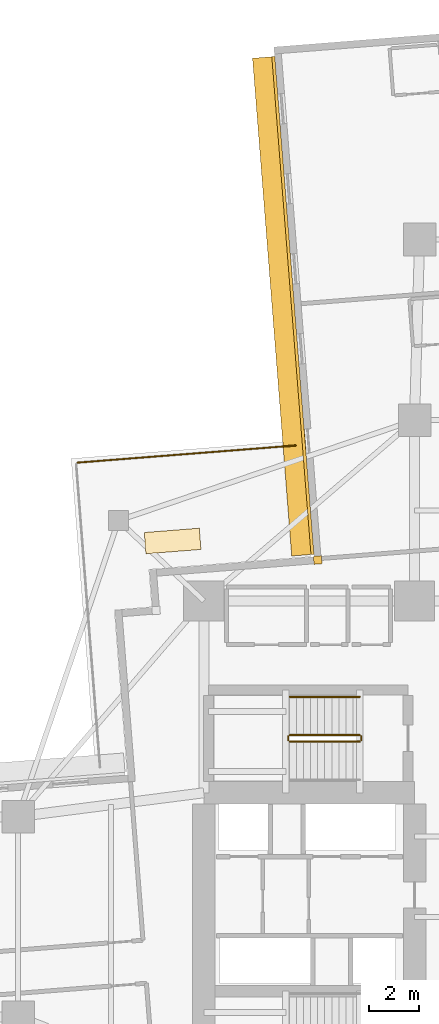
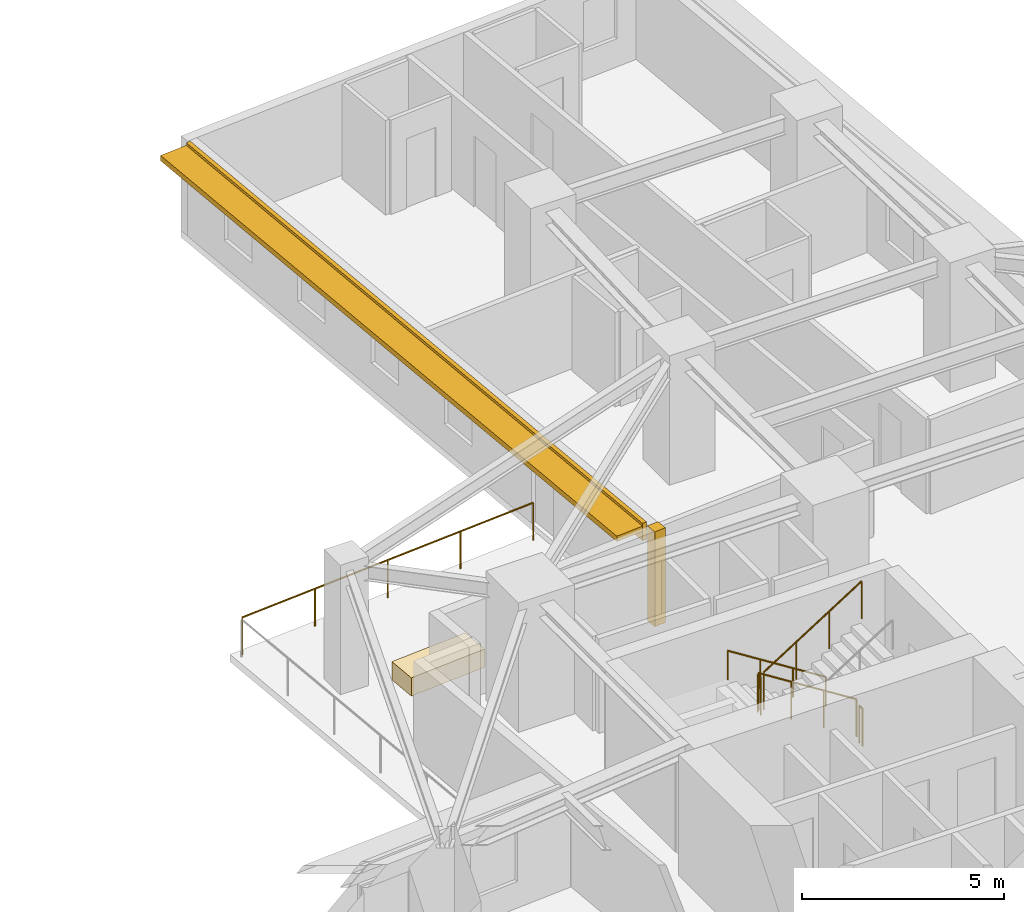
# One storey, part 12 of 13: 6 railings, 3 coverings, 1 shading device.
"""IFC4 building model written with IfcOpenShell, lengths in metres."""

from ifc_helpers import new_model, si_unit, direction, frame, origin, origin_2d, place, context, subcontext, project, spatial, rectangle, circle, extrude, material, layer, layer_set, type_object, element, save


model = new_model("IFC4")

# Units and contexts
model_context = context("Model", 3, precision=1e-05, world=origin(), true_north=direction((0.0, 1.0)))
body_context = subcontext(model_context, "Body", "Model", "MODEL_VIEW")
ifc_project = project(units=[si_unit("LENGTHUNIT", "METRE"), si_unit("AREAUNIT", "SQUARE_METRE"), si_unit("VOLUMEUNIT", "CUBIC_METRE"), si_unit("PLANEANGLEUNIT", "RADIAN"), si_unit("MASSUNIT", "GRAM", prefix="KILO")], contexts=[model_context])

# Site, building, storey
site_placement = place(None, origin())
site = spatial("IfcSite", under=ifc_project, at=site_placement, CompositionType="ELEMENT")
building_placement = place(site_placement, origin())
building = spatial("IfcBuilding", under=site, at=building_placement, Name="Qingluan Cross Belvedere", CompositionType="ELEMENT")
storey_placement = place(building_placement, frame((0.0, 0.0, 43.199951171875)))
storey = spatial("IfcBuildingStorey", under=building, at=storey_placement, Name="L11", CompositionType="ELEMENT", Elevation=43.199951171875)

# Coverings
ifc_material_1 = material(Name="Precast concrete C45", Category="concrete")
ifc_layer_1 = layer(ifc_material_1, 0.1201171875, Name="ConcreteSpandrelCladding_120")
ifc_layer_set_1 = layer_set([ifc_layer_1], Name="Precast concrete C45")
covering_type_1 = type_object("IfcCoveringType", Name="ConcreteSpandrelCladding_120", PredefinedType="CLADDING", material=ifc_layer_set_1)
covering_1_placement = place(storey_placement, frame((-8.849365234375, 24.370849609375, 2.400146484375), z_axis=(0.0, 0.0, 1.0), x_axis=(0.078457869429, -0.996917430244, 0.0)))
element("IfcCovering", 1, at=covering_1_placement, inside=storey, type_object=covering_type_1, Name="Spandrel cladding L11-NB", PredefinedType="CLADDING", context=body_context, shape_type="SweptSolid", body=[
    extrude(rectangle(XDim=19.89990234375, YDim=0.1201171875, at=origin_2d()), origin(), (0.0, 0.0, 1.0), 0.52001953125),
])
covering_2_placement = place(storey_placement, frame((-7.860595703125, 14.22705078125, 0.0), z_axis=(0.0, 0.0, 1.0), x_axis=(0.996917333733, 0.078459095728, 0.0)))
element("IfcCovering", 2, at=covering_2_placement, inside=storey, type_object=covering_type_1, Name="Corner closure L11-NW2", PredefinedType="CLADDING", context=body_context, shape_type="SweptSolid", body=[
    extrude(rectangle(XDim=0.320068359375, YDim=0.320068359375, at=origin_2d()), origin(), (0.0, 0.0, 1.0), 2.860107421875),
])

# Shading device
ifc_material_2 = material(Name="Precast concrete C45", Category="concrete")
ifc_layer_2 = layer(ifc_material_2, 0.159912109375, Name="ConcreteSunshadeBand_900")
ifc_layer_set_2 = layer_set([ifc_layer_2], Name="Precast concrete C45")
shading_device_type = type_object("IfcShadingDeviceType", Name="ConcreteSunshadeBand_900", PredefinedType="USERDEFINED", material=ifc_layer_set_2)
shading_device_placement = place(storey_placement, frame((-9.228271484375, 24.341064453125, 2.68017578125), z_axis=(0.0, 0.0, 1.0), x_axis=(0.078457869429, -0.996917430244, 0.0)))
element("IfcShadingDevice", 3, at=shading_device_placement, inside=storey, type_object=shading_device_type, Name="Concrete SUNSHADE L11-NB", ObjectType="SUNSHADE", PredefinedType="USERDEFINED", context=body_context, shape_type="SweptSolid", body=[
    extrude(rectangle(XDim=19.89990234375, YDim=0.89990234375, at=origin_2d()), origin(), (0.0, 0.0, 1.0), 0.159912109375),
])

# Railings
ifc_material_3 = material(Name="Brushed stainless steel tubular handrail", Category="steel")
railing_type_1 = type_object("IfcRailingType", Name="StairPitchHandrail_900", PredefinedType="HANDRAIL", material=ifc_material_3)
railing_1_placement = place(storey_placement, frame((-6.179931640625, 8.77001953125, 0.17724609375)))
element("IfcRailing", 4, at=railing_1_placement, inside=storey, type_object=railing_type_1, Name="L11 ST3 stair handrail 1", PredefinedType="HANDRAIL", context=body_context, shape_type="SweptSolid", body=[
    extrude(circle(Radius=0.02392578125, at=origin_2d()), frame((0.0, 0.0, 0.8759765625), z_axis=(-0.844908973607, 0.0, 0.534910110503), x_axis=(0.0, -1.0, 0.0)), (0.0, 0.0, 1.0), 3.31396484375),
    extrude(circle(Radius=0.02099609375, at=origin_2d()), origin(), (0.0, 0.0, 1.0), 0.851806640625),
    extrude(circle(Radius=0.02099609375, at=origin_2d()), frame((-0.933349609375, 0.0, 0.5908203125)), (0.0, 0.0, 1.0), 0.851806640625),
    extrude(circle(Radius=0.02099609375, at=origin_2d()), frame((-1.86669921875, 0.0, 1.181884765625)), (0.0, 0.0, 1.0), 0.851806640625),
    extrude(circle(Radius=0.02099609375, at=origin_2d()), frame((-2.800048828125, 0.0, 1.772705078125)), (0.0, 0.0, 1.0), 0.851806640625),
])
ifc_material_4 = material(Name="Painted steel stair well guard", Category="steel")
railing_type_2 = type_object("IfcRailingType", Name="StairWellGuard_1150", PredefinedType="BALUSTRADE", material=ifc_material_4)
railing_2_placement = place(storey_placement, frame((-6.179931640625, 7.25, 0.17724609375)))
element("IfcRailing", 5, at=railing_2_placement, inside=storey, type_object=railing_type_2, Name="L11 ST3 stair guard 1", PredefinedType="BALUSTRADE", context=body_context, shape_type="SweptSolid", body=[
    extrude(circle(Radius=0.02392578125, at=origin_2d()), frame((0.0, 0.0, 1.1259765625), z_axis=(-0.844908973607, 0.0, 0.534910110503), x_axis=(0.0, -1.0, 0.0)), (0.0, 0.0, 1.0), 3.31396484375),
    extrude(circle(Radius=0.02099609375, at=origin_2d()), origin(), (0.0, 0.0, 1.0), 1.101806640625),
    extrude(circle(Radius=0.02099609375, at=origin_2d()), frame((-0.933349609375, 0.0, 0.5908203125)), (0.0, 0.0, 1.0), 1.101806640625),
    extrude(circle(Radius=0.02099609375, at=origin_2d()), frame((-1.86669921875, 0.0, 1.181884765625)), (0.0, 0.0, 1.0), 1.101806640625),
    extrude(circle(Radius=0.02099609375, at=origin_2d()), frame((-2.800048828125, 0.0, 1.772705078125)), (0.0, 0.0, 1.0), 1.101806640625),
])
railing_3_placement = place(storey_placement, frame((-9.030029296875, 7.199951171875, 1.949951171875)))
element("IfcRailing", 6, at=railing_3_placement, inside=storey, type_object=railing_type_2, Name="L11 ST3 stair guard 2", PredefinedType="BALUSTRADE", context=body_context, shape_type="SweptSolid", body=[
    extrude(circle(Radius=0.02392578125, at=origin_2d()), frame((0.0, 0.0, 1.1259765625), z_axis=(0.0, -1.0, 0.0), x_axis=(1.0, 0.0, 0.0)), (0.0, 0.0, 1.0), 0.159912109375),
    extrude(circle(Radius=0.02099609375, at=origin_2d()), origin(), (0.0, 0.0, 1.0), 1.101806640625),
    extrude(circle(Radius=0.02099609375, at=origin_2d()), frame((0.0, -0.159912109375, 0.0)), (0.0, 0.0, 1.0), 1.101806640625),
])
railing_4_placement = place(storey_placement, frame((-8.97998046875, 6.989990234375, 2.12744140625)))
element("IfcRailing", 7, at=railing_4_placement, inside=storey, type_object=railing_type_2, Name="L11 ST3 stair guard 3", PredefinedType="BALUSTRADE", context=body_context, shape_type="SweptSolid", body=[
    extrude(circle(Radius=0.02392578125, at=origin_2d()), frame((0.0, 0.0, 1.1259765625), z_axis=(0.844908973607, 0.0, 0.534910110503), x_axis=(0.0, 1.0, 0.0)), (0.0, 0.0, 1.0), 3.31396484375),
    extrude(circle(Radius=0.02099609375, at=origin_2d()), origin(), (0.0, 0.0, 1.0), 1.101806640625),
    extrude(circle(Radius=0.02099609375, at=origin_2d()), frame((0.933349609375, 0.0, 0.5908203125)), (0.0, 0.0, 1.0), 1.101806640625),
    extrude(circle(Radius=0.02099609375, at=origin_2d()), frame((1.86669921875, 0.0, 1.181884765625)), (0.0, 0.0, 1.0), 1.101806640625),
    extrude(circle(Radius=0.02099609375, at=origin_2d()), frame((2.800048828125, 0.0, 1.772705078125)), (0.0, 0.0, 1.0), 1.101806640625),
])
railing_5_placement = place(storey_placement, frame((-6.1298828125, 7.199951171875, 0.0)))
element("IfcRailing", 8, at=railing_5_placement, inside=storey, type_object=railing_type_2, Name="L11 ST3 stair guard 4", PredefinedType="BALUSTRADE", context=body_context, shape_type="SweptSolid", body=[
    extrude(circle(Radius=0.02392578125, at=origin_2d()), frame((0.0, 0.0, 1.1259765625), z_axis=(0.0, -1.0, 0.0), x_axis=(1.0, 0.0, 0.0)), (0.0, 0.0, 1.0), 0.159912109375),
    extrude(circle(Radius=0.02099609375, at=origin_2d()), origin(), (0.0, 0.0, 1.0), 1.101806640625),
    extrude(circle(Radius=0.02099609375, at=origin_2d()), frame((0.0, -0.159912109375, 0.0)), (0.0, 0.0, 1.0), 1.101806640625),
])
ifc_material_5 = material(Name="Laminated glass and stainless steel balustrade", Category="steel")
railing_type_3 = type_object("IfcRailingType", Name="TerraceGuardBalustrade_1150", PredefinedType="BALUSTRADE", material=ifc_material_5)
railing_6_placement = place(storey_placement, frame((-17.4345703125, 18.10791015625, 0.0)))
element("IfcRailing", 9, at=railing_6_placement, inside=storey, type_object=railing_type_3, Name="Terrace guard L11-2", PredefinedType="BALUSTRADE", context=body_context, shape_type="SweptSolid", body=[
    extrude(circle(Radius=0.02392578125, at=origin_2d()), frame((0.0, 0.0, 1.1259765625), z_axis=(0.996918232331, 0.078447677123, 0.0), x_axis=(-0.078447677123, 0.996918232331, 0.0)), (0.0, 0.0, 1.0), 8.72021484375),
    extrude(circle(Radius=0.02099609375, at=origin_2d()), origin(), (0.0, 0.0, 1.0), 1.101806640625),
    extrude(circle(Radius=0.02099609375, at=origin_2d()), frame((2.17333984375, 0.1708984375, 0.0)), (0.0, 0.0, 1.0), 1.101806640625),
    extrude(circle(Radius=0.02099609375, at=origin_2d()), frame((4.3466796875, 0.342041015625, 0.0)), (0.0, 0.0, 1.0), 1.101806640625),
    extrude(circle(Radius=0.02099609375, at=origin_2d()), frame((6.52001953125, 0.51318359375, 0.0)), (0.0, 0.0, 1.0), 1.101806640625),
    extrude(circle(Radius=0.02099609375, at=origin_2d()), frame((8.693359375, 0.68408203125, 0.0)), (0.0, 0.0, 1.0), 1.101806640625),
])

# Covering
ifc_material_6 = material(Name="Precast concrete C40", Category="concrete")
ifc_layer_3 = layer(ifc_material_6, 0.550048828125, Name="TerracePlanterBox")
ifc_layer_set_3 = layer_set([ifc_layer_3], Name="Precast concrete C40")
covering_type_2 = type_object("IfcCoveringType", Name="TerracePlanterBox", PredefinedType="USERDEFINED", material=ifc_layer_set_3)
covering_3_placement = place(storey_placement, frame((-13.64306640625, 14.985107421875, 0.0), z_axis=(0.0, 0.0, 1.0), x_axis=(0.996917333733, 0.078459095728, 0.0)))
element("IfcCovering", 10, at=covering_3_placement, inside=storey, type_object=covering_type_2, Name="Spiralling winter-garden planter L11", ObjectType="PLANTER", PredefinedType="USERDEFINED", context=body_context, shape_type="SweptSolid", body=[
    extrude(rectangle(XDim=2.199951171875, YDim=0.85009765625, at=origin_2d()), origin(), (0.0, 0.0, 1.0), 0.550048828125),
])

save(model, "model.ifc")
